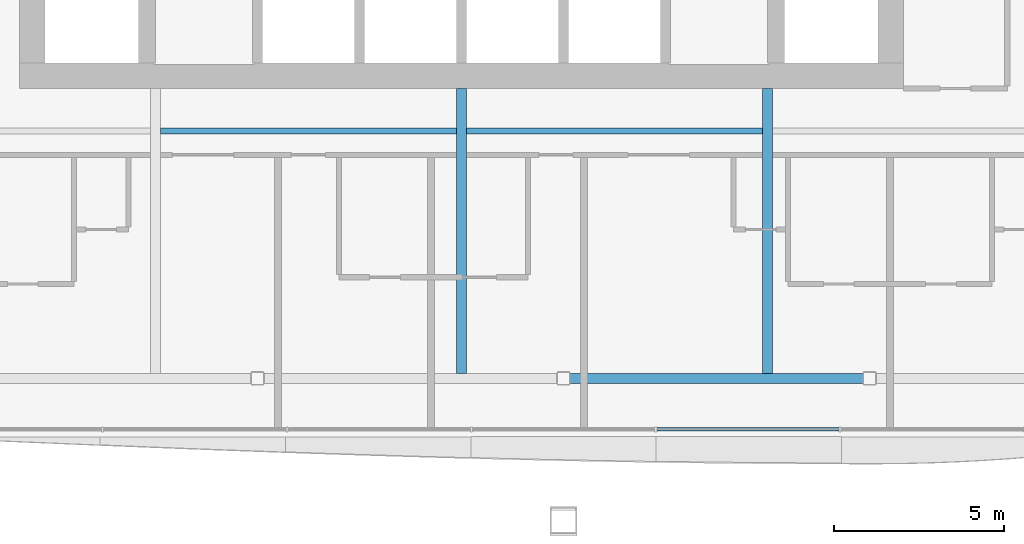
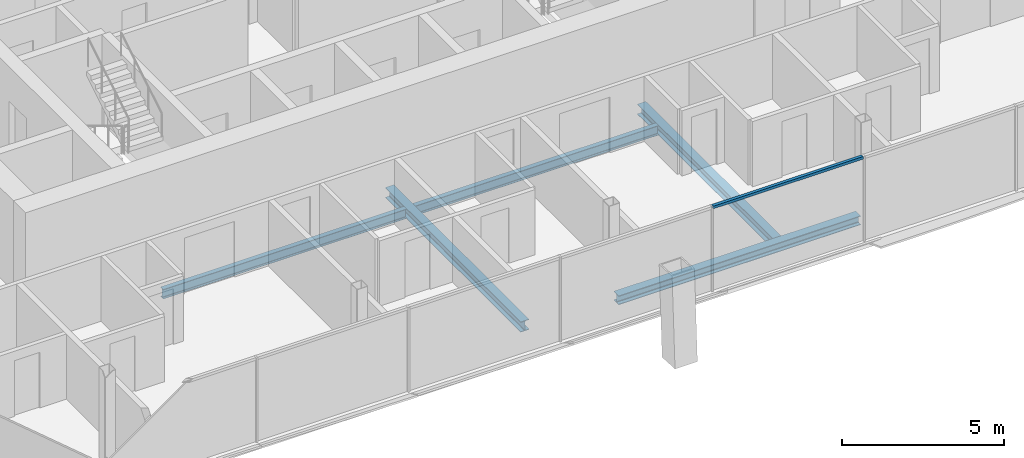
# One storey, part 5 of 21: 5 beams, 1 member, 1 element without a shape of its own.
"""IFC4 building model written with IfcOpenShell, lengths in metres."""

from ifc_helpers import new_model, si_unit, direction, frame, origin, origin_2d, place, context, subcontext, project, spatial, rectangle, i_section, extrude, material, material_profile, profile_set, type_object, element, aggregate, save


model = new_model("IFC4")

# Units and contexts
model_context = context("Model", 3, precision=1e-05, world=origin(), true_north=direction((0.0, 1.0)))
body_context = subcontext(model_context, "Body", "Model", "MODEL_VIEW")
ifc_project = project(units=[si_unit("LENGTHUNIT", "METRE"), si_unit("AREAUNIT", "SQUARE_METRE"), si_unit("VOLUMEUNIT", "CUBIC_METRE"), si_unit("PLANEANGLEUNIT", "RADIAN"), si_unit("MASSUNIT", "GRAM", prefix="KILO")], contexts=[model_context])

# Site, building, storey
site_placement = place(None, origin())
site = spatial("IfcSite", under=ifc_project, at=site_placement, CompositionType="ELEMENT")
building_placement = place(site_placement, origin())
building = spatial("IfcBuilding", under=site, at=building_placement, Name="Tskaro Facet Tower", CompositionType="ELEMENT")
storey_placement = place(building_placement, frame((0.0, 0.0, 148.699951171875)))
storey = spatial("IfcBuildingStorey", under=building, at=storey_placement, Name="L36", CompositionType="ELEMENT", Elevation=148.699951171875)

# Curtain wall, member
ifc_material_1 = material(Name="Bronze anodised aluminium 6063-T6", Category="aluminium")
curtain_wall_type = type_object("IfcCurtainWallType", Name="Bronze hotel curtain wall (FW2)", PredefinedType="NOTDEFINED", material=ifc_material_1)
curtain_wall_placement = place(storey_placement, origin())
curtain_wall = element("IfcCurtainWall", 1, at=curtain_wall_placement, inside=storey, type_object=curtain_wall_type, Name="FW2 south facet L36", PredefinedType="NOTDEFINED")
ifc_material_profile_1 = material_profile(ifc_material_1, rectangle(XDim=0.110107421875, YDim=0.10009765625, at=origin_2d()), Name="Transom 110x100")
ifc_profile_set_1 = profile_set([ifc_material_profile_1], Name="Bronze anodised aluminium 6063-T6")
member_type = type_object("IfcMemberType", Name="FW2 bronze transom 110x100", PredefinedType="USERDEFINED", material=ifc_profile_set_1)
member_placement = place(storey_placement, frame((5.741943359375, -22.27197265625, 3.150146484375), z_axis=(1.0, 0.0, 0.0), x_axis=(0.0, 1.0, 0.0)))
member = element("IfcMember", 2, at=member_placement, type_object=member_type, Name="FW2 south transom 5.1", ObjectType="TRANSOM", PredefinedType="USERDEFINED", context=body_context, shape_type="SweptSolid", body=[
    extrude(rectangle(XDim=0.110107421875, YDim=0.10009765625, at=origin_2d()), origin(), (0.0, 0.0, 1.0), 5.363525390625),
])
aggregate(curtain_wall, [member])

# Beams
ifc_material_2 = material(Name="Steel S355J2", Category="steel")
ifc_material_profile_2 = material_profile(ifc_material_2, i_section(OverallWidth=0.300048828125, OverallDepth=0.340087890625, WebThickness=0.011962890625, FlangeThickness=0.021484375, FilletRadius=0.027099609375, at=origin_2d()), Name="HE 340 B")
ifc_profile_set_2 = profile_set([ifc_material_profile_2], Name="Steel S355J2")
beam_type_1 = type_object("IfcBeamType", Name="HE 340 B ring beam", PredefinedType="BEAM", material=ifc_profile_set_2)
beam_placement = place(storey_placement, frame((3.179931640625, -20.77392578125, -0.31005859375), z_axis=(1.0, 0.0, 0.0), x_axis=(0.0, 1.0, 0.0)))
element("IfcBeam", 3, at=beam_placement, inside=storey, type_object=beam_type_1, Name="HE 340 B EB3-3", PredefinedType="BEAM", context=body_context, shape_type="SweptSolid", body=[
    extrude(i_section(OverallWidth=0.300048828125, OverallDepth=0.340087890625, WebThickness=0.011962890625, FlangeThickness=0.021484375, FilletRadius=0.027099609375, at=origin_2d()), origin(), (0.0, 0.0, 1.0), 8.64013671875),
])
ifc_material_profile_3 = material_profile(ifc_material_2, i_section(OverallWidth=0.300048828125, OverallDepth=0.389892578125, WebThickness=0.010986328125, FlangeThickness=0.01904296875, FilletRadius=0.027099609375, at=origin_2d()), Name="HE 400 A")
ifc_profile_set_3 = profile_set([ifc_material_profile_3], Name="Steel S355J2")
beam_type_2 = type_object("IfcBeamType", Name="HE 400 A girder", PredefinedType="BEAM", material=ifc_profile_set_3)
for number, where, z_axis, x_axis, name in (
    (4, (0.0, -20.6240234375, -0.3349609375), (0.0, 1.0, 0.0), (-1.0, 0.0, 0.0), "HE 400 A GB4-1-3"),
    (5, (9.0, -20.6240234375, -0.3349609375), (0.0, 1.0, 0.0), (-1.0, 0.0, 0.0), "HE 400 A GB5-1-3"),
):
    element("IfcBeam", number, at=place(storey_placement, frame(where, z_axis=z_axis, x_axis=x_axis)), inside=storey, type_object=beam_type_2, Name=name, PredefinedType="BEAM", context=body_context, shape_type="SweptSolid", body=[
        extrude(i_section(OverallWidth=0.300048828125, OverallDepth=0.389892578125, WebThickness=0.010986328125, FlangeThickness=0.01904296875, FilletRadius=0.027099609375, at=origin_2d()), origin(), (0.0, 0.0, 1.0), 8.3740234375),
    ])
ifc_material_profile_4 = material_profile(ifc_material_2, i_section(OverallWidth=0.169921875, OverallDepth=0.360107421875, WebThickness=0.008056640625, FlangeThickness=0.0126953125, FilletRadius=0.01806640625, at=origin_2d()), Name="IPE 360")
ifc_profile_set_4 = profile_set([ifc_material_profile_4], Name="Steel S355J2")
beam_type_3 = type_object("IfcBeamType", Name="IPE 360 secondary beam", PredefinedType="BEAM", material=ifc_profile_set_4)
for number, where, z_axis, x_axis, name in (
    (6, (-8.85009765625, -13.5, -0.320068359375), (1.0, 0.0, 0.0), (0.0, 1.0, 0.0), "IPE 360 SB2a-2-3"),
    (7, (0.14990234375, -13.5, -0.320068359375), (1.0, 0.0, 0.0), (0.0, 1.0, 0.0), "IPE 360 SB2a-3-3"),
):
    element("IfcBeam", number, at=place(storey_placement, frame(where, z_axis=z_axis, x_axis=x_axis)), inside=storey, type_object=beam_type_3, Name=name, PredefinedType="BEAM", context=body_context, shape_type="SweptSolid", body=[
        extrude(i_section(OverallWidth=0.169921875, OverallDepth=0.360107421875, WebThickness=0.008056640625, FlangeThickness=0.0126953125, FilletRadius=0.01806640625, at=origin_2d()), origin(), (0.0, 0.0, 1.0), 8.7001953125),
    ])

save(model, "model.ifc")
